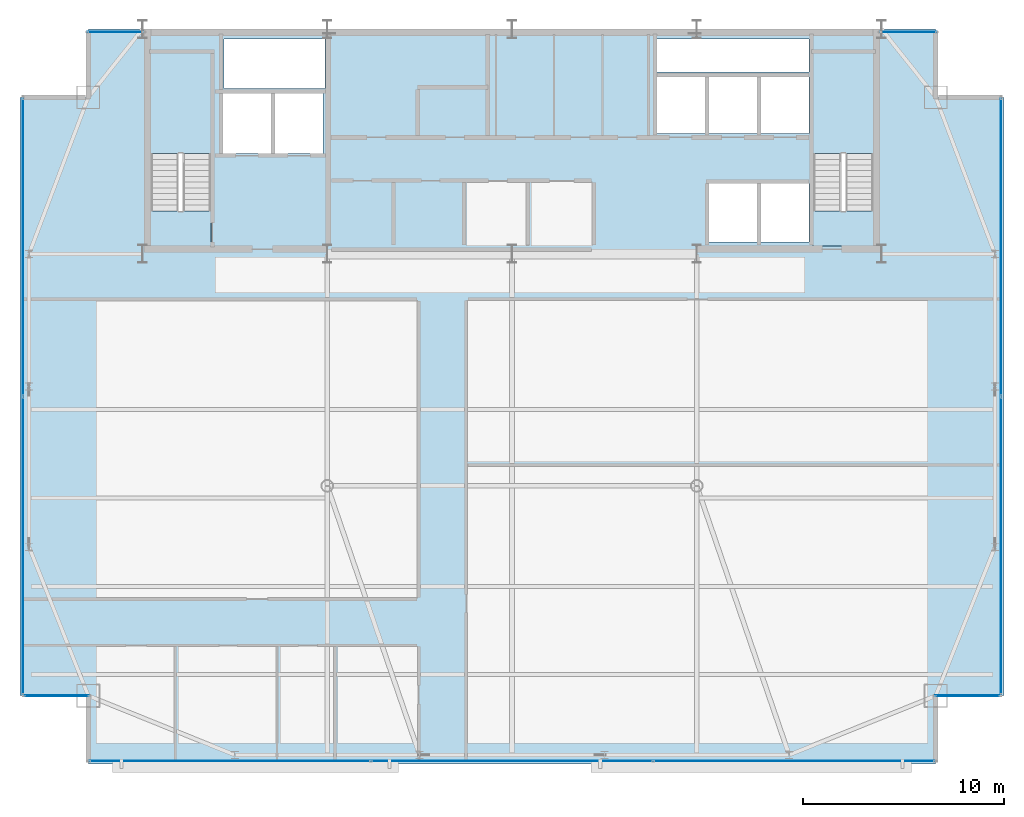
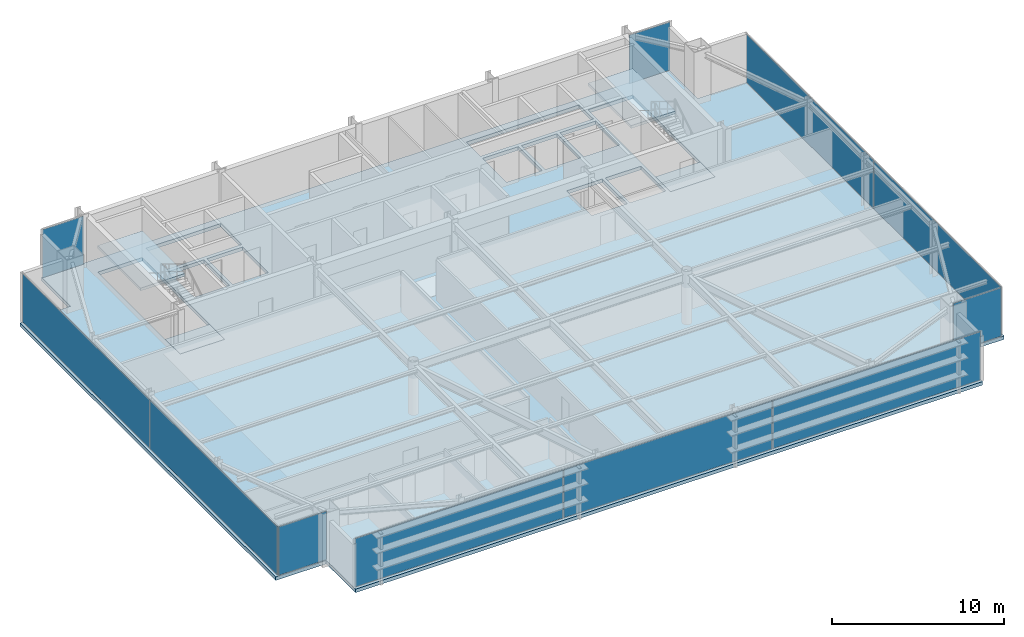
# One storey, part 19 of 25: 11 plates, 5 slabs, 9 elements without a shape of their own.
"""IFC4 building model written with IfcOpenShell, lengths in metres."""

from ifc_helpers import new_model, si_unit, direction, frame, origin, origin_2d, place, context, subcontext, project, spatial, polyline, rectangle, outline, extrude, source, transform, mapped, material, layer, layer_set, type_object, type_shapes, element, aggregate, save


model = new_model("IFC4")

# Units and contexts
model_context = context("Model", 3, precision=1e-05, world=origin(), true_north=direction((0.0, 1.0)))
body_context = subcontext(model_context, "Body", "Model", "MODEL_VIEW")
ifc_project = project(units=[si_unit("LENGTHUNIT", "METRE"), si_unit("AREAUNIT", "SQUARE_METRE"), si_unit("VOLUMEUNIT", "CUBIC_METRE"), si_unit("PLANEANGLEUNIT", "RADIAN"), si_unit("MASSUNIT", "GRAM", prefix="KILO")], contexts=[model_context])

# Site, building, storey
site_placement = place(None, origin())
site = spatial("IfcSite", under=ifc_project, at=site_placement, CompositionType="ELEMENT")
building_placement = place(site_placement, origin())
building = spatial("IfcBuilding", under=site, at=building_placement, Name="Varnel Quay Broadcast Tower", CompositionType="ELEMENT")
storey_placement = place(building_placement, frame((0.0, 0.0, 250.800048828125)))
storey = spatial("IfcBuildingStorey", under=building, at=storey_placement, Name="L62", CompositionType="ELEMENT", Elevation=250.800048828125)

# Slabs
ifc_material_1 = material(Name="Concrete CSA A23.3 C50/60", Category="concrete")
ifc_layer_1 = layer(ifc_material_1, 0.25, Name="Concrete CSA A23.3 C50/60")
ifc_layer_set_1 = layer_set([ifc_layer_1], Name="Concrete CSA A23.3 C50/60")
slab_type_1 = type_object("IfcSlabType", Name="Slab_Floor250", PredefinedType="FLOOR", material=ifc_layer_set_1)
slab_1_placement = place(storey_placement, frame((0.0, 0.0, -0.25)))
element("IfcSlab", 1, at=slab_1_placement, inside=storey, type_object=slab_type_1, Name="L62 Structural Slab", PredefinedType="FLOOR", context=body_context, shape_type="SweptSolid", body=[
    extrude(outline(polyline([(12.89990234375, 10.199951171875), (55.10009765625, 10.199951171875), (55.10009765625, 13.60009765625), (58.5, 13.60009765625), (58.5, 43.39990234375), (55.10009765625, 43.39990234375), (55.10009765625, 46.800048828125), (12.89990234375, 46.800048828125), (12.89990234375, 43.39990234375), (9.5, 43.39990234375), (9.5, 13.60009765625), (12.89990234375, 13.60009765625), (12.89990234375, 10.199951171875)]), holes=[polyline([(19.0, 36.0), (16.0, 36.0), (16.0, 45.60009765625), (19.0, 45.60009765625), (19.0, 36.0)]), polyline([(19.60009765625, 40.60009765625), (19.60009765625, 43.60009765625), (22.0, 43.60009765625), (22.0, 40.60009765625), (19.60009765625, 40.60009765625)]), polyline([(22.199951171875, 40.60009765625), (22.199951171875, 43.60009765625), (24.60009765625, 43.60009765625), (24.60009765625, 40.60009765625), (22.199951171875, 40.60009765625)]), polyline([(41.199951171875, 44.39990234375), (43.60009765625, 44.39990234375), (43.60009765625, 41.60009765625), (41.199951171875, 41.60009765625), (41.199951171875, 44.39990234375)]), polyline([(43.800048828125, 44.39990234375), (46.199951171875, 44.39990234375), (46.199951171875, 41.60009765625), (43.800048828125, 41.60009765625), (43.800048828125, 44.39990234375)]), polyline([(19.64990234375, 43.85009765625), (19.64990234375, 46.300048828125), (24.679931640625, 46.300048828125), (24.679931640625, 43.85009765625), (19.64990234375, 43.85009765625)]), polyline([(43.800048828125, 39.10009765625), (46.199951171875, 39.10009765625), (46.199951171875, 36.199951171875), (43.800048828125, 36.199951171875), (43.800048828125, 39.10009765625)]), polyline([(46.39990234375, 39.10009765625), (48.800048828125, 39.10009765625), (48.800048828125, 36.199951171875), (46.39990234375, 36.199951171875), (46.39990234375, 39.10009765625)]), polyline([(52.0, 36.0), (49.0, 36.0), (49.0, 45.60009765625), (52.0, 45.60009765625), (52.0, 36.0)]), polyline([(46.39990234375, 44.39990234375), (48.800048828125, 44.39990234375), (48.800048828125, 41.60009765625), (46.39990234375, 41.60009765625), (46.39990234375, 44.39990234375)]), polyline([(41.199951171875, 46.300048828125), (48.800048828125, 46.300048828125), (48.800048828125, 44.64990234375), (41.199951171875, 44.64990234375), (41.199951171875, 46.300048828125)])]), origin(), (0.0, 0.0, 1.0), 0.25),
])
ifc_layer_2 = layer(ifc_material_1, 0.25, Name="Concrete CSA A23.3 C50/60")
ifc_layer_set_2 = layer_set([ifc_layer_2], Name="Concrete CSA A23.3 C50/60")
slab_type_2 = type_object("IfcSlabType", Name="Slab_StairFloorLanding250", PredefinedType="FLOOR", material=ifc_layer_set_2)
slab_2_placement = place(storey_placement, frame((0.0, 0.0, -0.25)))
element("IfcSlab", 2, at=slab_2_placement, inside=storey, type_object=slab_type_2, Name="L62 ST-01 Structural Floor Landing Slab", PredefinedType="FLOOR", context=body_context, shape_type="SweptSolid", body=[
    extrude(outline(polyline([(19.0, 36.0), (19.0, 37.75), (16.0, 37.75), (16.0, 36.0), (19.0, 36.0)])), origin(), (0.0, 0.0, 1.0), 0.25),
])
slab_3_placement = place(storey_placement, frame((0.0, 0.0, -0.25)))
element("IfcSlab", 3, at=slab_3_placement, inside=storey, type_object=slab_type_2, Name="L62 ST-02 Structural Floor Landing Slab", PredefinedType="FLOOR", context=body_context, shape_type="SweptSolid", body=[
    extrude(outline(polyline([(52.0, 36.0), (52.0, 37.75), (49.0, 37.75), (49.0, 36.0), (52.0, 36.0)])), origin(), (0.0, 0.0, 1.0), 0.25),
])

# Stair, slab
ifc_material_2 = material(Name="Precast Structural Concrete C40/50", Category="concrete")
stair_type_1 = type_object("IfcStairType", Name="Stair_ST-01", PredefinedType="HALF_TURN_STAIR", material=ifc_material_2)
stair_1_placement = place(storey_placement, origin())
stair_1 = element("IfcStair", 4, at=stair_1_placement, inside=storey, type_object=stair_type_1, Name="L62 West Core Exit Stair 1", PredefinedType="HALF_TURN_STAIR")
ifc_layer_3 = layer(ifc_material_2, 0.199951171875, Name="Precast Structural Concrete C40/50")
ifc_layer_set_3 = layer_set([ifc_layer_3], Name="Precast Structural Concrete C40/50")
slab_type_3 = type_object("IfcSlabType", Name="Slab_StairLanding200", PredefinedType="LANDING", material=ifc_layer_set_3)
slab_4_placement = place(storey_placement, frame((0.0, 0.0, 1.699951171875)))
slab_4 = element("IfcSlab", 5, at=slab_4_placement, type_object=slab_type_3, Name="ST-01 landing 1", PredefinedType="LANDING", context=body_context, shape_type="SweptSolid", body=[
    extrude(outline(polyline([(19.0, 40.60009765625), (19.0, 45.60009765625), (16.0, 45.60009765625), (16.0, 40.60009765625), (19.0, 40.60009765625)])), origin(), (0.0, 0.0, 1.0), 0.199951171875),
])
aggregate(stair_1, [slab_4])

stair_type_2 = type_object("IfcStairType", Name="Stair_ST-02", PredefinedType="HALF_TURN_STAIR", material=ifc_material_2)
stair_2_placement = place(storey_placement, origin())
stair_2 = element("IfcStair", 6, at=stair_2_placement, inside=storey, type_object=stair_type_2, Name="L62 East Core Exit Stair 2", PredefinedType="HALF_TURN_STAIR")
slab_5_placement = place(storey_placement, frame((0.0, 0.0, 1.699951171875)))
slab_5 = element("IfcSlab", 7, at=slab_5_placement, type_object=slab_type_3, Name="ST-02 landing 1", PredefinedType="LANDING", context=body_context, shape_type="SweptSolid", body=[
    extrude(outline(polyline([(52.0, 40.60009765625), (52.0, 45.60009765625), (49.0, 45.60009765625), (49.0, 40.60009765625), (52.0, 40.60009765625)])), origin(), (0.0, 0.0, 1.0), 0.199951171875),
])
aggregate(stair_2, [slab_5])

# Curtain wall, plates
ifc_material_3 = material(Name="Anodised Bronze Aluminium 6063-T6", Category="aluminium")
ifc_layer_4 = layer(ifc_material_3, 0.18994140625, Name="Anodised Bronze Aluminium 6063-T6")
ifc_layer_set_4 = layer_set([ifc_layer_4], Name="Anodised Bronze Aluminium 6063-T6")
curtain_wall_type_1 = type_object("IfcCurtainWallType", Name="CW_UpperTower", PredefinedType="NOTDEFINED", material=ifc_layer_set_4)
curtain_wall_1_placement = place(storey_placement, origin())
curtain_wall_1 = element("IfcCurtainWall", 8, at=curtain_wall_1_placement, inside=storey, type_object=curtain_wall_type_1, Name="L62 West Unitised Curtain Wall", PredefinedType="NOTDEFINED")
ifc_material_4 = material(Name="Insulated Bronze Spandrel Glass", Category="glass")
ifc_layer_5 = layer(ifc_material_4, 0.030029296875, Name="Insulated Bronze Spandrel Glass")
ifc_layer_set_5 = layer_set([ifc_layer_5], Name="Insulated Bronze Spandrel Glass")
plate_type_1 = type_object("IfcPlateType", Name="PanelSp_CWS-03", PredefinedType="CURTAIN_PANEL", material=ifc_layer_set_5)
shared_shape_1 = source(origin(), body_context, "Body", "SweptSolid", [
    extrude(rectangle(XDim=14.802490234375, YDim=0.030029296875, at=origin_2d()), origin(), (0.0, 0.0, 1.0), 3.429931640625),
])
plate_1_placement = place(storey_placement, frame((9.64990234375, 21.066162109375, 0.06005859375), z_axis=(0.0, 0.0, 1.0), x_axis=(0.0, 1.0, 0.0)))
plate_1 = element("IfcPlate", 9, at=plate_1_placement, type_object=plate_type_1, Name="CWS-03 panel 1.1", PredefinedType="CURTAIN_PANEL", context=body_context, shape_type="MappedRepresentation", body=[
    mapped(shared_shape_1, transform((0.0, 0.0, 0.0), x_axis=(1.0, 0.0, 0.0), y_axis=(0.0, 1.0, 0.0), z_axis=(0.0, 0.0, 1.0), scale=1.0)),
])
plate_2_placement = place(storey_placement, frame((9.64990234375, 35.933837890625, 0.06005859375), z_axis=(0.0, 0.0, 1.0), x_axis=(0.0, 1.0, 0.0)))
plate_2 = element("IfcPlate", 10, at=plate_2_placement, type_object=plate_type_1, Name="CWS-03 panel 2.1", PredefinedType="CURTAIN_PANEL", context=body_context, shape_type="MappedRepresentation", body=[
    mapped(shared_shape_1, transform((0.0, 0.0, 0.0), x_axis=(1.0, 0.0, 0.0), y_axis=(0.0, 1.0, 0.0), z_axis=(0.0, 0.0, 1.0), scale=1.0)),
])
aggregate(curtain_wall_1, [plate_1, plate_2])

curtain_wall_2_placement = place(storey_placement, origin())
curtain_wall_2 = element("IfcCurtainWall", 11, at=curtain_wall_2_placement, inside=storey, type_object=curtain_wall_type_1, Name="L62 East Unitised Curtain Wall", PredefinedType="NOTDEFINED")
plate_3_placement = place(storey_placement, frame((58.35009765625, 21.066162109375, 0.06005859375), z_axis=(0.0, 0.0, 1.0), x_axis=(0.0, 1.0, 0.0)))
plate_3 = element("IfcPlate", 12, at=plate_3_placement, type_object=plate_type_1, Name="CWS-03 panel 1.1", PredefinedType="CURTAIN_PANEL", context=body_context, shape_type="MappedRepresentation", body=[
    mapped(shared_shape_1, transform((0.0, 0.0, 0.0), x_axis=(1.0, 0.0, 0.0), y_axis=(0.0, 1.0, 0.0), z_axis=(0.0, 0.0, 1.0), scale=1.0)),
])
plate_4_placement = place(storey_placement, frame((58.35009765625, 35.933837890625, 0.06005859375), z_axis=(0.0, 0.0, 1.0), x_axis=(0.0, 1.0, 0.0)))
plate_4 = element("IfcPlate", 13, at=plate_4_placement, type_object=plate_type_1, Name="CWS-03 panel 2.1", PredefinedType="CURTAIN_PANEL", context=body_context, shape_type="MappedRepresentation", body=[
    mapped(shared_shape_1, transform((0.0, 0.0, 0.0), x_axis=(1.0, 0.0, 0.0), y_axis=(0.0, 1.0, 0.0), z_axis=(0.0, 0.0, 1.0), scale=1.0)),
])
aggregate(curtain_wall_2, [plate_3, plate_4])

# Curtain wall, plate
ifc_layer_6 = layer(ifc_material_3, 0.18994140625, Name="Anodised Bronze Aluminium 6063-T6")
ifc_layer_set_6 = layer_set([ifc_layer_6], Name="Anodised Bronze Aluminium 6063-T6")
curtain_wall_type_2 = type_object("IfcCurtainWallType", Name="CW_NotchCorner", PredefinedType="NOTDEFINED", material=ifc_layer_set_6)
curtain_wall_3_placement = place(storey_placement, origin())
curtain_wall_3 = element("IfcCurtainWall", 14, at=curtain_wall_3_placement, inside=storey, type_object=curtain_wall_type_2, Name="L62 SW Notch Curtain Wall", PredefinedType="NOTDEFINED")
ifc_material_5 = material(Name="Triple-Glazed Bronze Low-E Architectural Glass", Category="glass")
ifc_layer_7 = layer(ifc_material_5, 0.028076171875, Name="Triple-Glazed Bronze Low-E Architectural Glass")
ifc_layer_set_7 = layer_set([ifc_layer_7], Name="Triple-Glazed Bronze Low-E Architectural Glass")
plate_type_2 = type_object("IfcPlateType", Name="Panel_CWS-04", PredefinedType="CURTAIN_PANEL", material=ifc_layer_set_7)
shared_shape_2 = source(origin(), body_context, "Body", "SweptSolid", [
    extrude(rectangle(XDim=3.2099609375, YDim=0.028076171875, at=origin_2d()), origin(), (0.0, 0.0, 1.0), 3.43994140625),
])
type_shapes(plate_type_2, [shared_shape_2])
plate_5_placement = place(storey_placement, frame((11.31494140625, 13.60009765625, 0.054931640625), z_axis=(0.0, 0.0, 1.0), x_axis=(1.0, 0.0, 0.0)))
plate_5 = element("IfcPlate", 15, at=plate_5_placement, type_object=plate_type_2, Name="CWS-04 panel 1.1", PredefinedType="CURTAIN_PANEL", context=body_context, shape_type="MappedRepresentation", body=[
    mapped(shared_shape_2, transform((0.0, 0.0, 0.0), x_axis=(1.0, 0.0, 0.0), y_axis=(0.0, 1.0, 0.0), z_axis=(0.0, 0.0, 1.0), scale=1.0)),
])
aggregate(curtain_wall_3, [plate_5])

curtain_wall_4_placement = place(storey_placement, origin())
curtain_wall_4 = element("IfcCurtainWall", 16, at=curtain_wall_4_placement, inside=storey, type_object=curtain_wall_type_2, Name="L62 SE Notch Curtain Wall", PredefinedType="NOTDEFINED")
plate_6_placement = place(storey_placement, frame((56.68505859375, 13.60009765625, 0.054931640625), z_axis=(0.0, 0.0, 1.0), x_axis=(1.0, 0.0, 0.0)))
plate_6 = element("IfcPlate", 17, at=plate_6_placement, type_object=plate_type_2, Name="CWS-04 panel 1.1", PredefinedType="CURTAIN_PANEL", context=body_context, shape_type="MappedRepresentation", body=[
    mapped(shared_shape_2, transform((0.0, 0.0, 0.0), x_axis=(1.0, 0.0, 0.0), y_axis=(0.0, 1.0, 0.0), z_axis=(0.0, 0.0, 1.0), scale=1.0)),
])
aggregate(curtain_wall_4, [plate_6])

curtain_wall_5_placement = place(storey_placement, origin())
curtain_wall_5 = element("IfcCurtainWall", 18, at=curtain_wall_5_placement, inside=storey, type_object=curtain_wall_type_1, Name="L62 NW Wing Curtain Wall", PredefinedType="NOTDEFINED")
ifc_layer_8 = layer(ifc_material_5, 0.030029296875, Name="Triple-Glazed Bronze Low-E Architectural Glass")
ifc_layer_set_8 = layer_set([ifc_layer_8], Name="Triple-Glazed Bronze Low-E Architectural Glass")
plate_type_3 = type_object("IfcPlateType", Name="Panel_CWS-03", PredefinedType="CURTAIN_PANEL", material=ifc_layer_set_8)
shared_shape_3 = source(origin(), body_context, "Body", "SweptSolid", [
    extrude(rectangle(XDim=2.75, YDim=0.030029296875, at=origin_2d()), origin(), (0.0, 0.0, 1.0), 3.429931640625),
])
plate_7_placement = place(storey_placement, frame((14.260009765625, 46.64990234375, 0.06005859375), z_axis=(0.0, 0.0, 1.0), x_axis=(1.0, 0.0, 0.0)))
plate_7 = element("IfcPlate", 19, at=plate_7_placement, type_object=plate_type_3, Name="CWS-03 panel 1.1", PredefinedType="CURTAIN_PANEL", context=body_context, shape_type="MappedRepresentation", body=[
    mapped(shared_shape_3, transform((0.0, 0.0, 0.0), x_axis=(1.0, 0.0, 0.0), y_axis=(0.0, 1.0, 0.0), z_axis=(0.0, 0.0, 1.0), scale=1.0)),
])
aggregate(curtain_wall_5, [plate_7])

curtain_wall_6_placement = place(storey_placement, origin())
curtain_wall_6 = element("IfcCurtainWall", 20, at=curtain_wall_6_placement, inside=storey, type_object=curtain_wall_type_1, Name="L62 NE Wing Curtain Wall", PredefinedType="NOTDEFINED")
plate_8_placement = place(storey_placement, frame((53.739990234375, 46.64990234375, 0.06005859375), z_axis=(0.0, 0.0, 1.0), x_axis=(1.0, 0.0, 0.0)))
plate_8 = element("IfcPlate", 21, at=plate_8_placement, type_object=plate_type_3, Name="CWS-03 panel 1.1", PredefinedType="CURTAIN_PANEL", context=body_context, shape_type="MappedRepresentation", body=[
    mapped(shared_shape_3, transform((0.0, 0.0, 0.0), x_axis=(1.0, 0.0, 0.0), y_axis=(0.0, 1.0, 0.0), z_axis=(0.0, 0.0, 1.0), scale=1.0)),
])
aggregate(curtain_wall_6, [plate_8])

# Curtain wall, plates
curtain_wall_7_placement = place(storey_placement, origin())
curtain_wall_7 = element("IfcCurtainWall", 22, at=curtain_wall_7_placement, inside=storey, type_object=curtain_wall_type_1, Name="L62 South Unitised Curtain Wall 1", PredefinedType="NOTDEFINED")
shared_shape_4 = source(origin(), body_context, "Body", "SweptSolid", [
    extrude(rectangle(XDim=13.96923828125, YDim=0.030029296875, at=origin_2d()), origin(), (0.0, 0.0, 1.0), 3.429931640625),
])
type_shapes(plate_type_3, [shared_shape_3, shared_shape_4])
plate_9_placement = place(storey_placement, frame((19.949462890625, 10.35009765625, 0.06005859375), z_axis=(0.0, 0.0, 1.0), x_axis=(1.0, 0.0, 0.0)))
plate_9 = element("IfcPlate", 23, at=plate_9_placement, type_object=plate_type_3, Name="CWS-03 panel 1.1", PredefinedType="CURTAIN_PANEL", context=body_context, shape_type="MappedRepresentation", body=[
    mapped(shared_shape_4, transform((0.0, 0.0, 0.0), x_axis=(1.0, 0.0, 0.0), y_axis=(0.0, 1.0, 0.0), z_axis=(0.0, 0.0, 1.0), scale=1.0)),
])
plate_10_placement = place(storey_placement, frame((48.050537109375, 10.35009765625, 0.06005859375), z_axis=(0.0, 0.0, 1.0), x_axis=(1.0, 0.0, 0.0)))
plate_10 = element("IfcPlate", 24, at=plate_10_placement, type_object=plate_type_3, Name="CWS-03 panel 3.1", PredefinedType="CURTAIN_PANEL", context=body_context, shape_type="MappedRepresentation", body=[
    mapped(shared_shape_4, transform((0.0, 0.0, 0.0), x_axis=(1.0, 0.0, 0.0), y_axis=(0.0, 1.0, 0.0), z_axis=(0.0, 0.0, 1.0), scale=1.0)),
])
shared_shape_5 = source(origin(), body_context, "Body", "SweptSolid", [
    extrude(rectangle(XDim=14.001708984375, YDim=0.030029296875, at=origin_2d()), origin(), (0.0, 0.0, 1.0), 3.429931640625),
])
type_shapes(plate_type_1, [shared_shape_1, shared_shape_5])
plate_11_placement = place(storey_placement, frame((34.0, 10.35009765625, 0.06005859375), z_axis=(0.0, 0.0, 1.0), x_axis=(1.0, 0.0, 0.0)))
plate_11 = element("IfcPlate", 25, at=plate_11_placement, type_object=plate_type_1, Name="CWS-03 panel 2.1", PredefinedType="CURTAIN_PANEL", context=body_context, shape_type="MappedRepresentation", body=[
    mapped(shared_shape_5, transform((0.0, 0.0, 0.0), x_axis=(1.0, 0.0, 0.0), y_axis=(0.0, 1.0, 0.0), z_axis=(0.0, 0.0, 1.0), scale=1.0)),
])
aggregate(curtain_wall_7, [plate_9, plate_11, plate_10])

save(model, "model.ifc")
